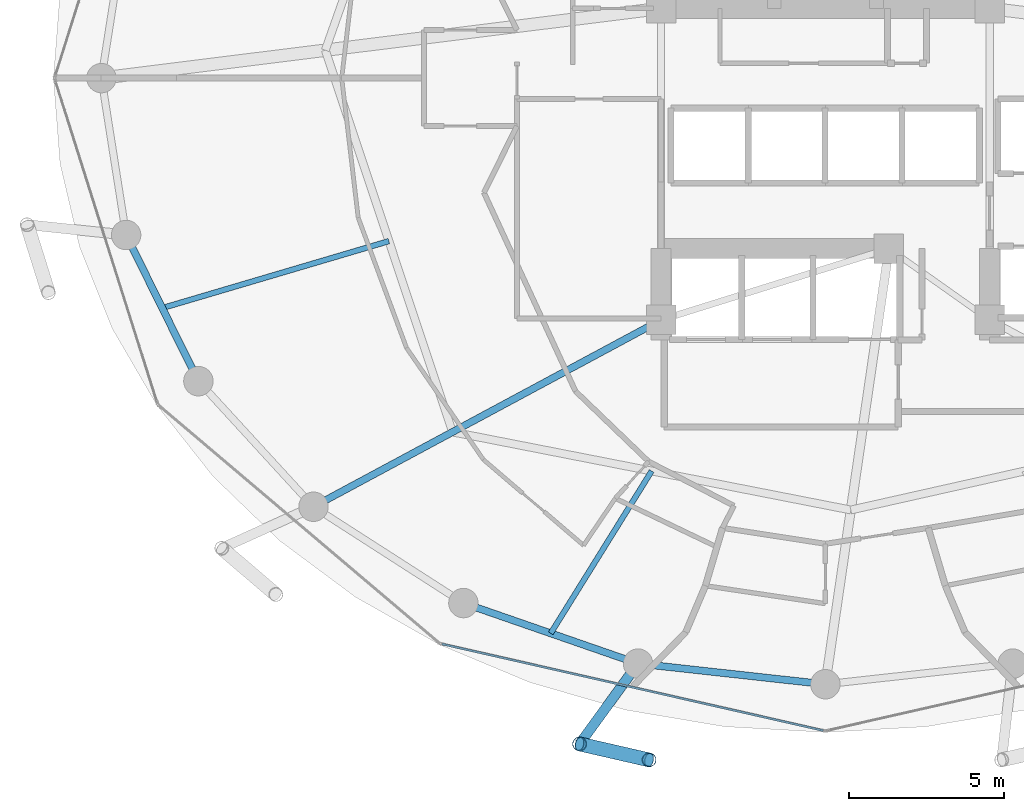
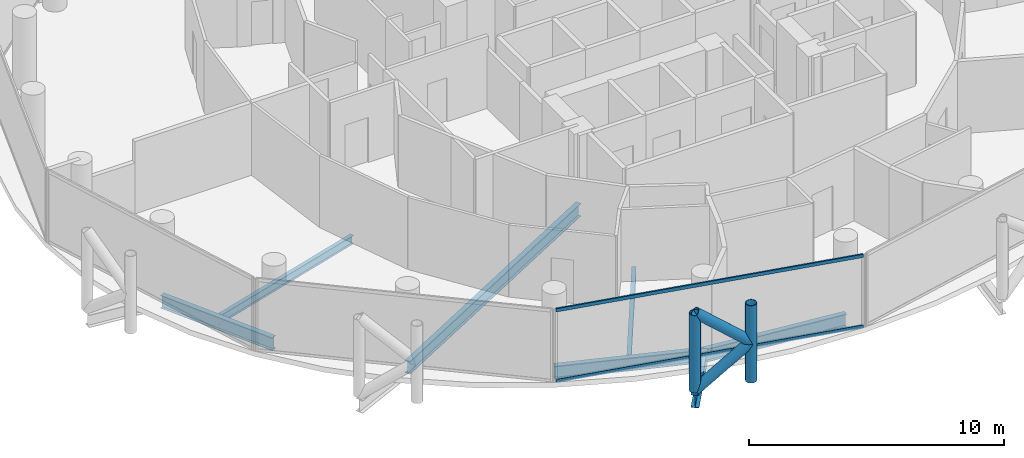
# One storey, part 3 of 26: 7 beams, 6 members, 1 element without a shape of its own.
"""IFC4 building model written with IfcOpenShell, lengths in metres."""

from ifc_helpers import new_model, si_unit, direction, frame, origin, origin_2d, place, context, subcontext, project, spatial, hollow_rectangle, hollow_circle, i_section, extrude, material, layer, layer_set, material_profile, profile_set, type_object, element, aggregate, save


model = new_model("IFC4")

# Units and contexts
model_context = context("Model", 3, precision=1e-05, world=origin(), true_north=direction((0.0, 1.0)))
body_context = subcontext(model_context, "Body", "Model", "MODEL_VIEW")
ifc_project = project(units=[si_unit("LENGTHUNIT", "METRE"), si_unit("AREAUNIT", "SQUARE_METRE"), si_unit("VOLUMEUNIT", "CUBIC_METRE"), si_unit("PLANEANGLEUNIT", "RADIAN"), si_unit("MASSUNIT", "GRAM", prefix="KILO")], contexts=[model_context])

# Site, building, storey
site_placement = place(None, origin())
site = spatial("IfcSite", under=ifc_project, at=site_placement, CompositionType="ELEMENT")
building_placement = place(site_placement, origin())
building = spatial("IfcBuilding", under=site, at=building_placement, Name="Nuhasar Tower", CompositionType="ELEMENT")
storey_placement = place(building_placement, frame((0.0, 0.0, 121.949951171875)))
storey = spatial("IfcBuildingStorey", under=building, at=storey_placement, Name="L28", CompositionType="ELEMENT", Elevation=121.949951171875)

# Beams
ifc_material_1 = material(Name="Steel S355", Category="steel")
ifc_material_profile_1 = material_profile(ifc_material_1, i_section(OverallWidth=0.177978515625, OverallDepth=0.406005859375, WebThickness=0.0078125, FlangeThickness=0.0126953125, at=origin_2d()), Name="W16X40")
ifc_profile_set_1 = profile_set([ifc_material_profile_1], Name="Steel S355")
beam_type_1 = type_object("IfcBeamType", Name="BM-JST-W16X40", PredefinedType="JOIST", material=ifc_profile_set_1)
beam_1_placement = place(storey_placement, frame((33.39697265625, 14.1279296875, -0.452880859375), z_axis=(-0.528139463011, -0.849157645912, 0.0), x_axis=(0.849157645912, -0.528139463011, 0.0)))
element("IfcBeam", 1, at=beam_1_placement, inside=storey, type_object=beam_type_1, Name="L28 Secondary Floor Joist 01", PredefinedType="JOIST", context=body_context, shape_type="SweptSolid", body=[
    extrude(i_section(OverallWidth=0.177978515625, OverallDepth=0.406005859375, WebThickness=0.0078125, FlangeThickness=0.0126953125, at=origin_2d()), origin(), (0.0, 0.0, 1.0), 6.164794921875),
])
beam_2_placement = place(storey_placement, frame((24.922119140625, 21.54296875, -0.452880859375), z_axis=(-0.959013356257, -0.283360869775, 0.0), x_axis=(0.283360869775, -0.959013356257, 0.0)))
element("IfcBeam", 2, at=beam_2_placement, inside=storey, type_object=beam_type_1, Name="L28 Secondary Floor Joist 08", PredefinedType="JOIST", context=body_context, shape_type="SweptSolid", body=[
    extrude(i_section(OverallWidth=0.177978515625, OverallDepth=0.406005859375, WebThickness=0.0078125, FlangeThickness=0.0126953125, at=origin_2d()), origin(), (0.0, 0.0, 1.0), 7.62255859375),
])
ifc_material_profile_2 = material_profile(ifc_material_1, i_section(OverallWidth=0.22900390625, OverallDepth=0.612060546875, WebThickness=0.011962890625, FlangeThickness=0.01953125, at=origin_2d()), Name="W24X84")
ifc_profile_set_2 = profile_set([ifc_material_profile_2], Name="Steel S355")
beam_type_2 = type_object("IfcBeamType", Name="BM-RAD-W24X84", PredefinedType="BEAM", material=ifc_profile_set_2)
beam_3_placement = place(storey_placement, frame((33.699951171875, 19.0, -0.555908203125), z_axis=(-0.880888386928, -0.473324043098, 0.0), x_axis=(0.473324043098, -0.880888386928, 0.0)))
element("IfcBeam", 3, at=beam_3_placement, inside=storey, type_object=beam_type_2, Name="L28 Radial Floor Girder 01", PredefinedType="BEAM", context=body_context, shape_type="SweptSolid", body=[
    extrude(i_section(OverallWidth=0.22900390625, OverallDepth=0.612060546875, WebThickness=0.011962890625, FlangeThickness=0.01953125, at=origin_2d()), origin(), (0.0, 0.0, 1.0), 12.726806640625),
])
ifc_material_profile_3 = material_profile(ifc_material_1, i_section(OverallWidth=0.22998046875, OverallDepth=0.616943359375, WebThickness=0.01318359375, FlangeThickness=0.022216796875, at=origin_2d()), Name="W24X94")
ifc_profile_set_3 = profile_set([ifc_material_profile_3], Name="Steel S355")
beam_type_3 = type_object("IfcBeamType", Name="BM-RING-W24X94", PredefinedType="SPANDREL", material=ifc_profile_set_3)
beam_4_placement = place(storey_placement, frame((16.446044921875, 21.739990234375, -0.557861328125), z_axis=(0.443329327657, -0.896358804966, 0.0), x_axis=(0.896358804966, 0.443329327657, 0.0)))
element("IfcBeam", 4, at=beam_4_placement, inside=storey, type_object=beam_type_3, Name="L28 Perimeter Ring Spandrel 14", PredefinedType="SPANDREL", context=body_context, shape_type="SweptSolid", body=[
    extrude(i_section(OverallWidth=0.22998046875, OverallDepth=0.616943359375, WebThickness=0.01318359375, FlangeThickness=0.022216796875, at=origin_2d()), origin(), (0.0, 0.0, 1.0), 5.26025390625),
])
beam_5_placement = place(storey_placement, frame((27.324951171875, 9.868896484375, -0.557861328125), z_axis=(0.944814057608, -0.327607076458, 0.0), x_axis=(0.327607076458, 0.944814057608, 0.0)))
element("IfcBeam", 5, at=beam_5_placement, inside=storey, type_object=beam_type_3, Name="L28 Perimeter Ring Spandrel 17", PredefinedType="SPANDREL", context=body_context, shape_type="SweptSolid", body=[
    extrude(i_section(OverallWidth=0.22998046875, OverallDepth=0.616943359375, WebThickness=0.01318359375, FlangeThickness=0.022216796875, at=origin_2d()), origin(), (0.0, 0.0, 1.0), 5.9609375),
])
beam_6_placement = place(storey_placement, frame((32.95703125, 7.916015625, -0.557861328125), z_axis=(0.993981289157, -0.109549974015, 0.0), x_axis=(0.109549974015, 0.993981289157, 0.0)))
element("IfcBeam", 6, at=beam_6_placement, inside=storey, type_object=beam_type_3, Name="L28 Perimeter Ring Spandrel 18", PredefinedType="SPANDREL", context=body_context, shape_type="SweptSolid", body=[
    extrude(i_section(OverallWidth=0.22998046875, OverallDepth=0.616943359375, WebThickness=0.01318359375, FlangeThickness=0.022216796875, at=origin_2d()), origin(), (0.0, 0.0, 1.0), 6.07958984375),
])
ifc_material_profile_4 = material_profile(ifc_material_1, i_section(OverallWidth=0.323974609375, OverallDepth=0.611083984375, WebThickness=0.0126953125, FlangeThickness=0.01904296875, at=origin_2d()), Name="W24X104")
ifc_profile_set_4 = profile_set([ifc_material_profile_4], Name="Steel S355")
beam_type_4 = type_object("IfcBeamType", Name="BM-TIE-W24X104", PredefinedType="BEAM", material=ifc_profile_set_4)
beam_7_placement = place(storey_placement, frame((32.95703125, 7.916015625, -0.554931640625), z_axis=(-0.588149050751, -0.808752554309, 0.0), x_axis=(0.808752554309, -0.588149050751, 0.0)))
element("IfcBeam", 7, at=beam_7_placement, inside=storey, type_object=beam_type_4, Name="L28 Exoskeleton Node Tie Beam 09", PredefinedType="BEAM", context=body_context, shape_type="SweptSolid", body=[
    extrude(i_section(OverallWidth=0.323974609375, OverallDepth=0.611083984375, WebThickness=0.0126953125, FlangeThickness=0.01904296875, at=origin_2d()), origin(), (0.0, 0.0, 1.0), 3.205078125),
])

# Curtain wall, members
ifc_material_2 = material(Name="Aluminium 6063-T6", Category="aluminium")
ifc_layer = layer(ifc_material_2, 0.199951171875)
ifc_layer_set = layer_set([ifc_layer], Name="Aluminium 6063-T6")
curtain_wall_type = type_object("IfcCurtainWallType", Name="CW-Z2-HTL", PredefinedType="NOTDEFINED", material=ifc_layer_set)
curtain_wall_placement = place(storey_placement, origin())
curtain_wall = element("IfcCurtainWall", 8, at=curtain_wall_placement, inside=storey, type_object=curtain_wall_type, Name="L28 Unitised Curtain Wall 09", PredefinedType="NOTDEFINED")
ifc_material_profile_5 = material_profile(ifc_material_2, hollow_rectangle(XDim=0.070068359375, YDim=0.159912109375, WallThickness=0.00439453125, at=origin_2d()), Name="CWT-3")
ifc_profile_set_5 = profile_set([ifc_material_profile_5], Name="Aluminium 6063-T6")
member_type_1 = type_object("IfcMemberType", Name="CW-TRN-S3", PredefinedType="USERDEFINED", material=ifc_profile_set_5)
member_1_placement = place(storey_placement, frame((26.63818359375, 8.54638671875, 0.03515625), z_axis=(0.975187615691, -0.221380022142, 0.0), x_axis=(0.221380022142, 0.975187615691, 0.0)))
member_1 = element("IfcMember", 9, at=member_1_placement, type_object=member_type_1, Name="CW-Z2 transom 1.1", ObjectType="TRANSOM", PredefinedType="USERDEFINED", context=body_context, shape_type="SweptSolid", body=[
    extrude(hollow_rectangle(XDim=0.070068359375, YDim=0.159912109375, WallThickness=0.00439453125, at=origin_2d()), origin(), (0.0, 0.0, 1.0), 12.606201171875),
])
member_2_placement = place(storey_placement, frame((26.63818359375, 8.54638671875, 3.4150390625), z_axis=(0.975187615691, -0.221380022142, 0.0), x_axis=(0.221380022142, 0.975187615691, 0.0)))
member_2 = element("IfcMember", 10, at=member_2_placement, type_object=member_type_1, Name="CW-Z2 transom 1.2", ObjectType="TRANSOM", PredefinedType="USERDEFINED", context=body_context, shape_type="SweptSolid", body=[
    extrude(hollow_rectangle(XDim=0.070068359375, YDim=0.159912109375, WallThickness=0.00439453125, at=origin_2d()), origin(), (0.0, 0.0, 1.0), 12.606201171875),
])
aggregate(curtain_wall, [member_1, member_2])

# Members
ifc_material_3 = material(Name="Steel S460", Category="steel")
ifc_material_profile_6 = material_profile(ifc_material_3, hollow_circle(Radius=0.228515625, WallThickness=0.022216796875, at=origin_2d()), Name="HSS457X22.2")
ifc_profile_set_6 = profile_set([ifc_material_profile_6], Name="Steel S460")
member_type_2 = type_object("IfcMemberType", Name="EXO-BRONZE-457", PredefinedType="BRACE", material=ifc_profile_set_6)
for number, where, z_axis, x_axis, name in (
    (11, (31.072021484375, 5.323974609375, 0.0), (0.0, 0.0, 1.0), (1.0, 0.0, 0.0), "L28 Exoskeleton Chord Column EC-09A"),
    (12, (33.31396484375, 4.81005859375, 0.0), (0.0, 0.0, 1.0), (1.0, 0.0, 0.0), "L28 Exoskeleton Chord Column EC-09B"),
):
    element("IfcMember", number, at=place(storey_placement, frame(where, z_axis=z_axis, x_axis=x_axis)), inside=storey, type_object=member_type_2, Name=name, PredefinedType="BRACE", context=body_context, shape_type="SweptSolid", body=[
        extrude(hollow_circle(Radius=0.228515625, WallThickness=0.022216796875, at=origin_2d()), origin(), (0.0, 0.0, 1.0), 3.699951171875),
    ])
member_3_placement = place(storey_placement, frame((31.072021484375, 5.323974609375, 0.0), z_axis=(0.759510488094, -0.174101010284, 0.626763637022), x_axis=(0.223432882746, 0.974719316987, 0.0)))
element("IfcMember", 13, at=member_3_placement, inside=storey, type_object=member_type_2, Name="L28 Bronze Diagrid Brace W1-09", PredefinedType="BRACE", context=body_context, shape_type="SweptSolid", body=[
    extrude(hollow_circle(Radius=0.228515625, WallThickness=0.022216796875, at=origin_2d()), origin(), (0.0, 0.0, 1.0), 2.951904296875),
])
member_4_placement = place(storey_placement, frame((33.31396484375, 4.81005859375, 1.85009765625), z_axis=(-0.759549860492, 0.174110035537, 0.626713415327), x_axis=(-0.223432882746, -0.974719316987, 0.0)))
element("IfcMember", 14, at=member_4_placement, inside=storey, type_object=member_type_2, Name="L28 Bronze Diagrid Brace W2-09", PredefinedType="BRACE", context=body_context, shape_type="SweptSolid", body=[
    extrude(hollow_circle(Radius=0.228515625, WallThickness=0.022216796875, at=origin_2d()), origin(), (0.0, 0.0, 1.0), 2.95166015625),
])

save(model, "model.ifc")
